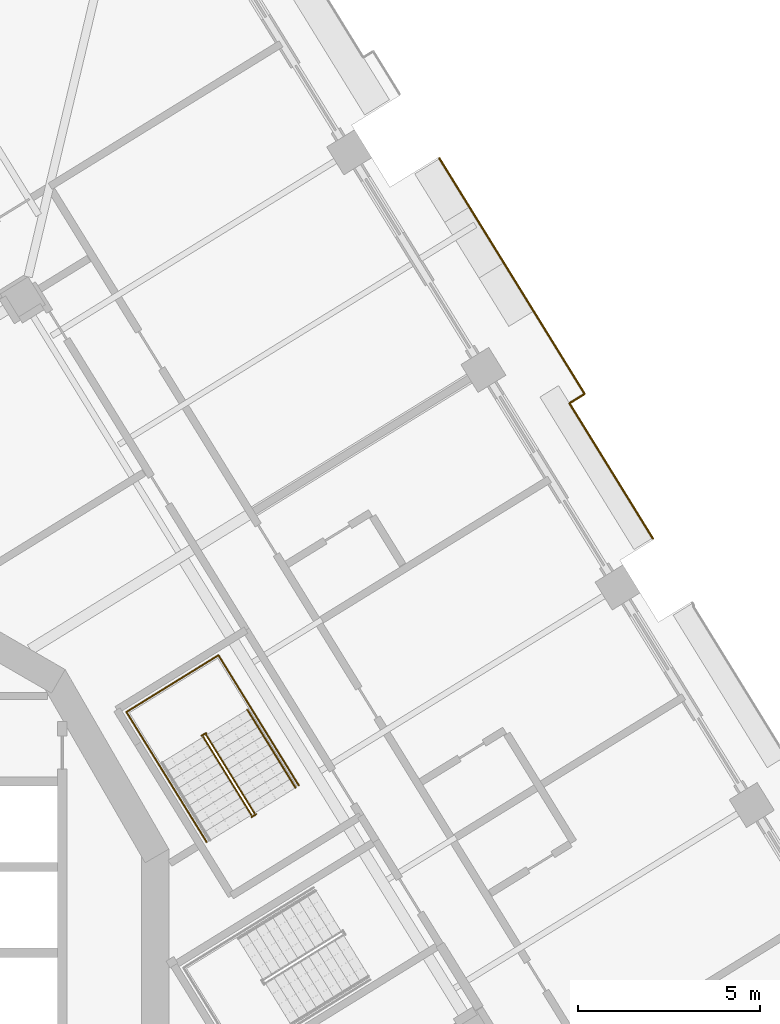
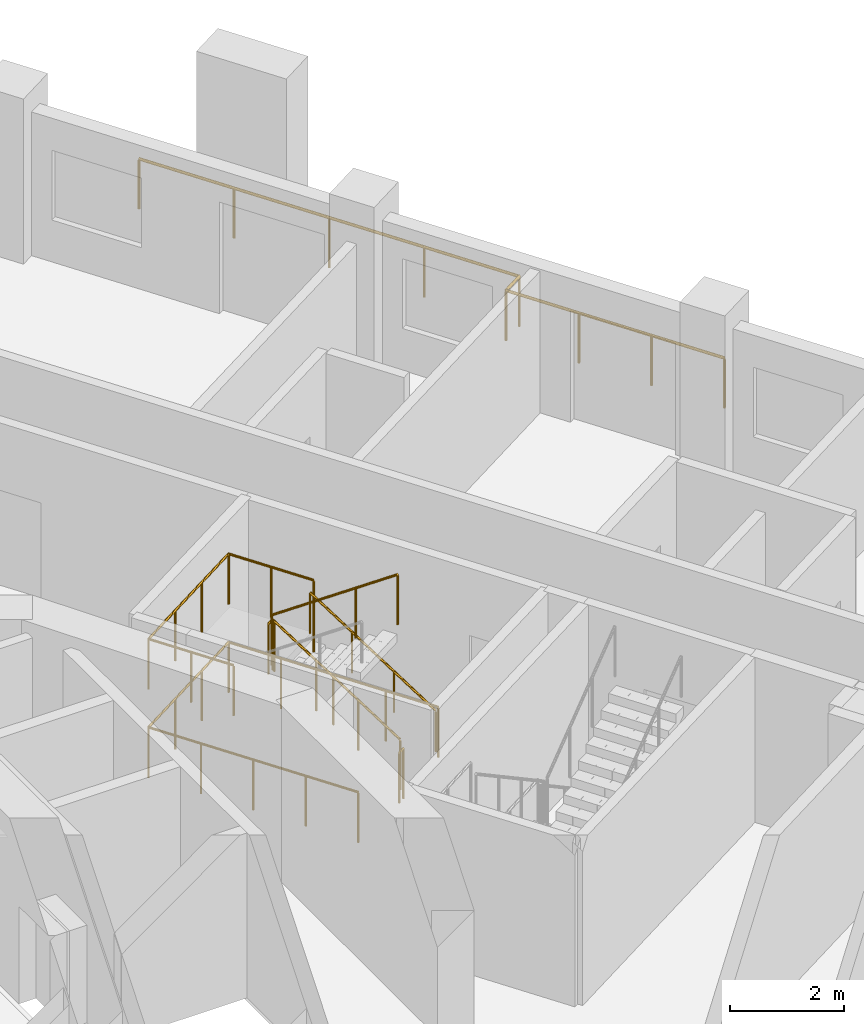
# One storey, part 20 of 22: 8 railings.
"""IFC4 building model written with IfcOpenShell, lengths in metres."""

from ifc_helpers import new_model, si_unit, direction, frame, origin, origin_2d, place, context, subcontext, project, spatial, circle, extrude, material, type_object, element, save


model = new_model("IFC4")

# Units and contexts
model_context = context("Model", 3, precision=1e-05, world=origin(), true_north=direction((0.0, 1.0)))
body_context = subcontext(model_context, "Body", "Model", "MODEL_VIEW")
ifc_project = project(units=[si_unit("LENGTHUNIT", "METRE"), si_unit("AREAUNIT", "SQUARE_METRE"), si_unit("VOLUMEUNIT", "CUBIC_METRE"), si_unit("PLANEANGLEUNIT", "RADIAN"), si_unit("MASSUNIT", "GRAM", prefix="KILO")], contexts=[model_context])

# Site, building, storey
site_placement = place(None, origin())
site = spatial("IfcSite", under=ifc_project, at=site_placement, CompositionType="ELEMENT")
building_placement = place(site_placement, origin())
building = spatial("IfcBuilding", under=site, at=building_placement, Name="Cantera Rosa Tower", CompositionType="ELEMENT")
storey_placement = place(building_placement, frame((0.0, 0.0, 162.800048828125)))
storey = spatial("IfcBuildingStorey", under=building, at=storey_placement, Name="L35", CompositionType="ELEMENT", Elevation=162.800048828125)

# Railings
ifc_material_1 = material(Name="Stainless steel and laminated glass", Category="steel")
railing_type_1 = type_object("IfcRailingType", Name="GUARD 1100", PredefinedType="BALUSTRADE", material=ifc_material_1)
railing_1_placement = place(storey_placement, frame((21.629150390625, 15.090087890625, 0.0)))
element("IfcRailing", 1, at=railing_1_placement, inside=storey, type_object=railing_type_1, Name="GUARD L35-12", PredefinedType="BALUSTRADE", context=body_context, shape_type="SweptSolid", body=[
    extrude(circle(Radius=0.030029296875, at=origin_2d()), frame((0.0, 0.0, 1.070068359375), z_axis=(0.524976423486, -0.851116769182, 0.0), x_axis=(0.851116769182, 0.524976423486, 0.0)), (0.0, 0.0, 1.0), 4.36865234375),
    extrude(circle(Radius=0.02490234375, at=origin_2d()), origin(), (0.0, 0.0, 1.0), 1.0400390625),
    extrude(circle(Radius=0.02490234375, at=origin_2d()), frame((0.764404296875, -1.239501953125, 0.0)), (0.0, 0.0, 1.0), 1.0400390625),
    extrude(circle(Radius=0.02490234375, at=origin_2d()), frame((1.529052734375, -2.478759765625, 0.0)), (0.0, 0.0, 1.0), 1.0400390625),
    extrude(circle(Radius=0.02490234375, at=origin_2d()), frame((2.29345703125, -3.71826171875, 0.0)), (0.0, 0.0, 1.0), 1.0400390625),
])
railing_2_placement = place(storey_placement, frame((18.051025390625, 21.825927734375, 0.0)))
element("IfcRailing", 2, at=railing_2_placement, inside=storey, type_object=railing_type_1, Name="GUARD L35-13", PredefinedType="BALUSTRADE", context=body_context, shape_type="SweptSolid", body=[
    extrude(circle(Radius=0.030029296875, at=origin_2d()), frame((0.0, 0.0, 1.070068359375), z_axis=(0.524975843748, -0.85111712677, 0.0), x_axis=(0.85111712677, 0.524975843748, 0.0)), (0.0, 0.0, 1.0), 7.611572265625),
    extrude(circle(Radius=0.030029296875, at=origin_2d()), frame((3.995849609375, -6.478271484375, 1.070068359375), z_axis=(-0.851196799176, -0.524846652911, 0.0), x_axis=(0.524846652911, -0.851196799176, 0.0)), (0.0, 0.0, 1.0), 0.49072265625),
    extrude(circle(Radius=0.02490234375, at=origin_2d()), origin(), (0.0, 0.0, 1.0), 1.0400390625),
    extrude(circle(Radius=0.02490234375, at=origin_2d()), frame((0.9990234375, -1.61962890625, 0.0)), (0.0, 0.0, 1.0), 1.0400390625),
    extrude(circle(Radius=0.02490234375, at=origin_2d()), frame((1.998046875, -3.2392578125, 0.0)), (0.0, 0.0, 1.0), 1.0400390625),
    extrude(circle(Radius=0.02490234375, at=origin_2d()), frame((2.996826171875, -4.858642578125, 0.0)), (0.0, 0.0, 1.0), 1.0400390625),
    extrude(circle(Radius=0.02490234375, at=origin_2d()), frame((3.995849609375, -6.478271484375, 0.0)), (0.0, 0.0, 1.0), 1.0400390625),
    extrude(circle(Radius=0.02490234375, at=origin_2d()), frame((3.578125, -6.73583984375, 0.0)), (0.0, 0.0, 1.0), 1.0400390625),
])
ifc_material_2 = material(Name="Steel S355J2 (EN 10025-2)", Category="steel")
railing_type_2 = type_object("IfcRailingType", Name="STAIR GUARD 1100", PredefinedType="GUARDRAIL", material=ifc_material_2)
railing_3_placement = place(storey_placement, frame((12.9765625, 3.834228515625, 0.18994140625)))
element("IfcRailing", 3, at=railing_3_placement, inside=storey, type_object=railing_type_2, Name="L35 ST-31 stair guard 1", PredefinedType="GUARDRAIL", context=body_context, shape_type="SweptSolid", body=[
    extrude(circle(Radius=0.02392578125, at=origin_2d()), frame((0.0, 0.0, 1.076171875), z_axis=(-0.434362572038, 0.70429590169, 0.561512634654), x_axis=(-0.851145618652, -0.524929648476, 0.0)), (0.0, 0.0, 1.0), 3.045166015625),
    extrude(circle(Radius=0.02392578125, at=origin_2d()), frame((-1.32275390625, 2.144775390625, 2.7861328125), z_axis=(-0.073711968402, 0.997279572494, 0.0), x_axis=(-0.997279572494, -0.073711968402, 0.0)), (0.0, 0.0, 1.0), 0.056396484375),
    extrude(circle(Radius=0.02392578125, at=origin_2d()), frame((-1.326904296875, 2.200927734375, 2.7861328125), z_axis=(-0.851546489876, -0.524279100842, 0.0), x_axis=(0.524279100842, -0.851546489876, 0.0)), (0.0, 0.0, 1.0), 0.14990234375),
    extrude(circle(Radius=0.02099609375, at=origin_2d()), origin(), (0.0, 0.0, 1.0), 1.052001953125),
    extrude(circle(Radius=0.02099609375, at=origin_2d()), frame((-0.44091796875, 0.71484375, 0.570068359375)), (0.0, 0.0, 1.0), 1.052001953125),
    extrude(circle(Radius=0.02099609375, at=origin_2d()), frame((-0.8818359375, 1.429931640625, 1.139892578125)), (0.0, 0.0, 1.0), 1.052001953125),
    extrude(circle(Radius=0.02099609375, at=origin_2d()), frame((-1.32275390625, 2.144775390625, 1.7099609375)), (0.0, 0.0, 1.0), 1.052001953125),
    extrude(circle(Radius=0.02099609375, at=origin_2d()), frame((-1.326904296875, 2.200927734375, 1.7099609375)), (0.0, 0.0, 1.0), 1.052001953125),
    extrude(circle(Radius=0.02099609375, at=origin_2d()), frame((-1.45458984375, 2.122314453125, 1.7099609375)), (0.0, 0.0, 1.0), 1.052001953125),
])
railing_4_placement = place(storey_placement, frame((11.5703125, 5.927490234375, 2.08984375)))
element("IfcRailing", 4, at=railing_4_placement, inside=storey, type_object=railing_type_2, Name="L35 ST-31 stair guard 2", PredefinedType="GUARDRAIL", context=body_context, shape_type="SweptSolid", body=[
    extrude(circle(Radius=0.02392578125, at=origin_2d()), frame((0.0, 0.0, 1.076171875), z_axis=(0.434408057947, -0.704239673199, 0.561547969352), x_axis=(0.851102330005, 0.524999832248, 0.0)), (0.0, 0.0, 1.0), 3.04541015625),
    extrude(circle(Radius=0.02099609375, at=origin_2d()), origin(), (0.0, 0.0, 1.0), 1.052001953125),
    extrude(circle(Radius=0.02099609375, at=origin_2d()), frame((0.44091796875, -0.71484375, 0.570068359375)), (0.0, 0.0, 1.0), 1.052001953125),
    extrude(circle(Radius=0.02099609375, at=origin_2d()), frame((0.882080078125, -1.429931640625, 1.14013671875)), (0.0, 0.0, 1.0), 1.052001953125),
    extrude(circle(Radius=0.02099609375, at=origin_2d()), frame((1.322998046875, -2.144775390625, 1.710205078125)), (0.0, 0.0, 1.0), 1.052001953125),
])
railing_5_placement = place(storey_placement, frame((13.025146484375, 3.80517578125, 0.0)))
element("IfcRailing", 5, at=railing_5_placement, inside=storey, type_object=railing_type_2, Name="L35 ST-31 stair guard 3", PredefinedType="GUARDRAIL", context=body_context, shape_type="SweptSolid", body=[
    extrude(circle(Radius=0.02392578125, at=origin_2d()), frame((0.0, 0.0, 1.076171875), z_axis=(-0.851546489876, -0.524279100842, 0.0), x_axis=(0.524279100842, -0.851546489876, 0.0)), (0.0, 0.0, 1.0), 0.14990234375),
    extrude(circle(Radius=0.02099609375, at=origin_2d()), origin(), (0.0, 0.0, 1.0), 1.052001953125),
    extrude(circle(Radius=0.02099609375, at=origin_2d()), frame((-0.127685546875, -0.07861328125, 0.0)), (0.0, 0.0, 1.0), 1.052001953125),
])
railing_6_placement = place(storey_placement, frame((14.192626953125, 4.59814453125, 0.0)))
element("IfcRailing", 6, at=railing_6_placement, inside=storey, type_object=railing_type_2, Name="L35 ST-31 stair guard 4", PredefinedType="GUARDRAIL", context=body_context, shape_type="SweptSolid", body=[
    extrude(circle(Radius=0.02392578125, at=origin_2d()), frame((0.0, 0.0, 1.076171875), z_axis=(-0.524976478809, 0.851116735059, 0.0), x_axis=(-0.851116735059, -0.524976478809, 0.0)), (0.0, 0.0, 1.0), 4.197998046875),
    extrude(circle(Radius=0.02392578125, at=origin_2d()), frame((-2.203857421875, 3.572998046875, 1.076171875), z_axis=(-0.851132917336, -0.524950242429, 0.0), x_axis=(0.524950242429, -0.851132917336, 0.0)), (0.0, 0.0, 1.0), 2.969970703125),
    extrude(circle(Radius=0.02392578125, at=origin_2d()), frame((-4.731689453125, 2.013916015625, 1.076171875), z_axis=(0.524976478809, -0.851116735059, 0.0), x_axis=(0.851116735059, 0.524976478809, 0.0)), (0.0, 0.0, 1.0), 4.197998046875),
    extrude(circle(Radius=0.02099609375, at=origin_2d()), origin(), (0.0, 0.0, 1.0), 1.052001953125),
    extrude(circle(Radius=0.02099609375, at=origin_2d()), frame((-0.551025390625, 0.893310546875, 0.0)), (0.0, 0.0, 1.0), 1.052001953125),
    extrude(circle(Radius=0.02099609375, at=origin_2d()), frame((-1.10205078125, 1.78662109375, 0.0)), (0.0, 0.0, 1.0), 1.052001953125),
    extrude(circle(Radius=0.02099609375, at=origin_2d()), frame((-1.65283203125, 2.6796875, 0.0)), (0.0, 0.0, 1.0), 1.052001953125),
    extrude(circle(Radius=0.02099609375, at=origin_2d()), frame((-2.203857421875, 3.572998046875, 0.0)), (0.0, 0.0, 1.0), 1.052001953125),
    extrude(circle(Radius=0.02099609375, at=origin_2d()), frame((-3.04638671875, 3.05322265625, 0.0)), (0.0, 0.0, 1.0), 1.052001953125),
    extrude(circle(Radius=0.02099609375, at=origin_2d()), frame((-3.88916015625, 2.53369140625, 0.0)), (0.0, 0.0, 1.0), 1.052001953125),
    extrude(circle(Radius=0.02099609375, at=origin_2d()), frame((-4.731689453125, 2.013916015625, 0.0)), (0.0, 0.0, 1.0), 1.052001953125),
    extrude(circle(Radius=0.02099609375, at=origin_2d()), frame((-4.1806640625, 1.12060546875, 0.0)), (0.0, 0.0, 1.0), 1.052001953125),
    extrude(circle(Radius=0.02099609375, at=origin_2d()), frame((-3.6298828125, 0.2275390625, 0.0)), (0.0, 0.0, 1.0), 1.052001953125),
    extrude(circle(Radius=0.02099609375, at=origin_2d()), frame((-3.078857421875, -0.665771484375, 0.0)), (0.0, 0.0, 1.0), 1.052001953125),
    extrude(circle(Radius=0.02099609375, at=origin_2d()), frame((-2.52783203125, -1.55908203125, 0.0)), (0.0, 0.0, 1.0), 1.052001953125),
])
railing_7_placement = place(storey_placement, frame((12.88232421875, 6.72265625, 1.89990234375)))
element("IfcRailing", 7, at=railing_7_placement, inside=storey, type_object=railing_type_2, Name="L35 ST-31 stair guard 5", PredefinedType="GUARDRAIL", context=body_context, shape_type="SweptSolid", body=[
    extrude(circle(Radius=0.02392578125, at=origin_2d()), frame((0.0, 0.0, 1.076171875), z_axis=(-0.525025534833, 0.851086474909, 0.0), x_axis=(-0.851086474909, -0.525025534833, 0.0)), (0.0, 0.0, 1.0), 1.701904296875),
    extrude(circle(Radius=0.02392578125, at=origin_2d()), frame((-0.8935546875, 1.448486328125, 1.076171875), z_axis=(-0.851132917336, -0.524950242429, 0.0), x_axis=(0.524950242429, -0.851132917336, 0.0)), (0.0, 0.0, 1.0), 2.969970703125),
    extrude(circle(Radius=0.02392578125, at=origin_2d()), frame((-3.42138671875, -0.110595703125, 1.076171875), z_axis=(0.524961441845, -0.851126009811, 0.0), x_axis=(0.851126009811, 0.524961441845, 0.0)), (0.0, 0.0, 1.0), 1.7021484375),
    extrude(circle(Radius=0.02099609375, at=origin_2d()), origin(), (0.0, 0.0, 1.0), 1.052001953125),
    extrude(circle(Radius=0.02099609375, at=origin_2d()), frame((-0.44677734375, 0.72412109375, 0.0)), (0.0, 0.0, 1.0), 1.052001953125),
    extrude(circle(Radius=0.02099609375, at=origin_2d()), frame((-0.8935546875, 1.448486328125, 0.0)), (0.0, 0.0, 1.0), 1.052001953125),
    extrude(circle(Radius=0.02099609375, at=origin_2d()), frame((-1.736083984375, 0.9287109375, 0.0)), (0.0, 0.0, 1.0), 1.052001953125),
    extrude(circle(Radius=0.02099609375, at=origin_2d()), frame((-2.578857421875, 0.4091796875, 0.0)), (0.0, 0.0, 1.0), 1.052001953125),
    extrude(circle(Radius=0.02099609375, at=origin_2d()), frame((-3.42138671875, -0.110595703125, 0.0)), (0.0, 0.0, 1.0), 1.052001953125),
    extrude(circle(Radius=0.02099609375, at=origin_2d()), frame((-2.974609375, -0.8349609375, 0.0)), (0.0, 0.0, 1.0), 1.052001953125),
    extrude(circle(Radius=0.02099609375, at=origin_2d()), frame((-2.52783203125, -1.559326171875, 0.0)), (0.0, 0.0, 1.0), 1.052001953125),
])
ifc_material_3 = material(Name="Steel S355J2 (EN 10025-2)", Category="steel")
railing_type_3 = type_object("IfcRailingType", Name="STAIR HANDRAIL 900", PredefinedType="HANDRAIL", material=ifc_material_3)
railing_8_placement = place(storey_placement, frame((14.105224609375, 4.5302734375, 0.18994140625)))
element("IfcRailing", 8, at=railing_8_placement, inside=storey, type_object=railing_type_3, Name="L35 ST-31 stair handrail 1", PredefinedType="HANDRAIL", context=body_context, shape_type="SweptSolid", body=[
    extrude(circle(Radius=0.02392578125, at=origin_2d()), frame((0.0, 0.0, 0.8759765625), z_axis=(-0.434427613125, 0.704271375033, 0.561493080334), x_axis=(-0.851102330005, -0.524999832248, 0.0)), (0.0, 0.0, 1.0), 3.04541015625),
    extrude(circle(Radius=0.02099609375, at=origin_2d()), origin(), (0.0, 0.0, 1.0), 0.851806640625),
    extrude(circle(Radius=0.02099609375, at=origin_2d()), frame((-0.44091796875, 0.71484375, 0.570068359375)), (0.0, 0.0, 1.0), 0.851806640625),
    extrude(circle(Radius=0.02099609375, at=origin_2d()), frame((-0.882080078125, 1.429931640625, 1.139892578125)), (0.0, 0.0, 1.0), 0.851806640625),
    extrude(circle(Radius=0.02099609375, at=origin_2d()), frame((-1.322998046875, 2.144775390625, 1.7099609375)), (0.0, 0.0, 1.0), 0.851806640625),
])

save(model, "model.ifc")
